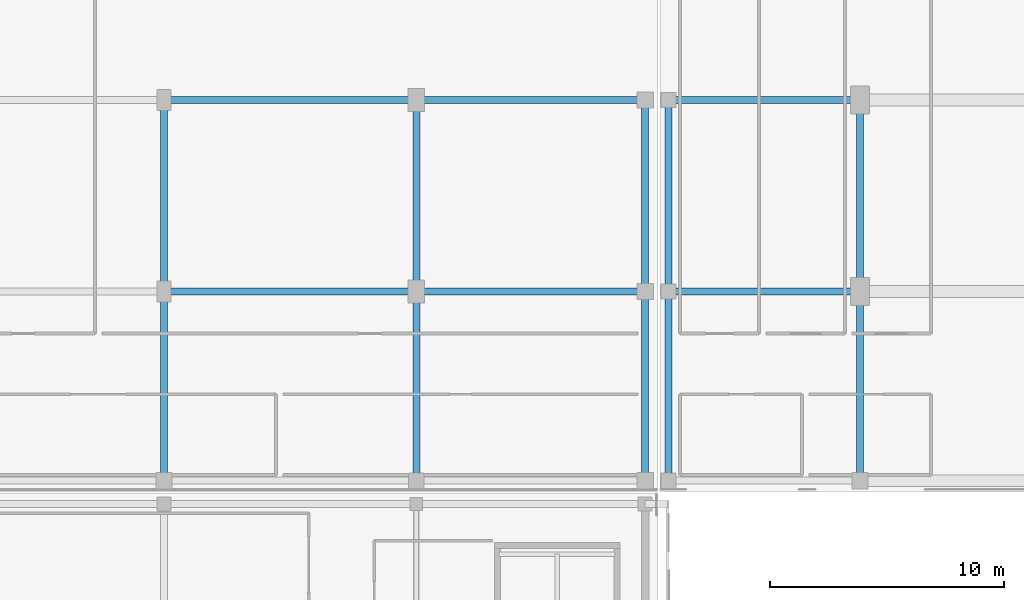
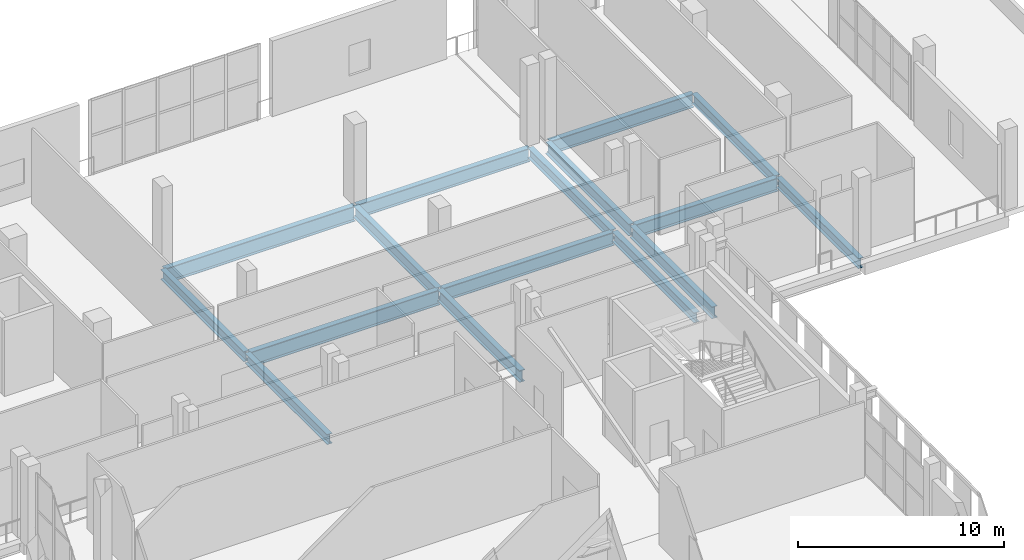
# One storey, part 70 of 142: 16 beams.
"""IFC4 building model written with IfcOpenShell, lengths in metres."""

from ifc_helpers import new_model, si_unit, direction, frame, origin, origin_2d, place, context, subcontext, project, spatial, i_section, extrude, material, material_profile, profile_set, type_object, element, save


model = new_model("IFC4")

# Units and contexts
model_context = context("Model", 3, precision=1e-05, world=origin(), true_north=direction((0.0, 1.0)))
body_context = subcontext(model_context, "Body", "Model", "MODEL_VIEW")
ifc_project = project(units=[si_unit("LENGTHUNIT", "METRE"), si_unit("AREAUNIT", "SQUARE_METRE"), si_unit("VOLUMEUNIT", "CUBIC_METRE"), si_unit("PLANEANGLEUNIT", "RADIAN"), si_unit("MASSUNIT", "GRAM", prefix="KILO")], contexts=[model_context])

# Site, building, storey
site_placement = place(None, origin())
site = spatial("IfcSite", under=ifc_project, at=site_placement, CompositionType="ELEMENT")
building_placement = place(site_placement, origin())
building = spatial("IfcBuilding", under=site, at=building_placement, Name="Koshinbarg Plaza Stadium", CompositionType="ELEMENT")
storey_placement = place(building_placement, frame((0.0, 0.0, 10.199951171875)))
storey = spatial("IfcBuildingStorey", under=building, at=storey_placement, Name="L02", CompositionType="ELEMENT", Elevation=10.199951171875)

# Beams
ifc_material = material(Name="Steel S355", Category="steel")
ifc_material_profile_1 = material_profile(ifc_material, i_section(OverallWidth=0.300048828125, OverallDepth=0.60009765625, WebThickness=0.015380859375, FlangeThickness=0.030029296875, at=origin_2d()), Name="HEB 600")
ifc_profile_set_1 = profile_set([ifc_material_profile_1], Name="Steel S355")
beam_type_1 = type_object("IfcBeamType", Name="BM-SGIR-02", PredefinedType="USERDEFINED", material=ifc_profile_set_1)
beam_1_placement = place(storey_placement, frame((197.800048828125, 127.56005859375, -0.599853515625), z_axis=(0.0, 1.0, 0.0), x_axis=(-1.0, 0.0, 0.0)))
element("IfcBeam", 1, at=beam_1_placement, inside=storey, type_object=beam_type_1, Name="L02 Y girder 19/S-T", ObjectType="GIRDER", PredefinedType="USERDEFINED", context=body_context, shape_type="SweptSolid", body=[
    extrude(i_section(OverallWidth=0.300048828125, OverallDepth=0.60009765625, WebThickness=0.015380859375, FlangeThickness=0.030029296875, at=origin_2d()), origin(), (0.0, 0.0, 1.0), 7.97998046875),
])
beam_2_placement = place(storey_placement, frame((197.800048828125, 135.659912109375, -0.599853515625), z_axis=(0.0, 1.0, 0.0), x_axis=(-1.0, 0.0, 0.0)))
element("IfcBeam", 2, at=beam_2_placement, inside=storey, type_object=beam_type_1, Name="L02 Y girder 19/T-U", ObjectType="GIRDER", PredefinedType="USERDEFINED", context=body_context, shape_type="SweptSolid", body=[
    extrude(i_section(OverallWidth=0.300048828125, OverallDepth=0.60009765625, WebThickness=0.015380859375, FlangeThickness=0.030029296875, at=origin_2d()), origin(), (0.0, 0.0, 1.0), 8.080078125),
])
beam_3_placement = place(storey_placement, frame((218.39990234375, 127.56005859375, -0.599853515625), z_axis=(0.0, 1.0, 0.0), x_axis=(-1.0, 0.0, 0.0)))
element("IfcBeam", 3, at=beam_3_placement, inside=storey, type_object=beam_type_1, Name="L02 Y girder 21/S-T", ObjectType="GIRDER", PredefinedType="USERDEFINED", context=body_context, shape_type="SweptSolid", body=[
    extrude(i_section(OverallWidth=0.300048828125, OverallDepth=0.60009765625, WebThickness=0.015380859375, FlangeThickness=0.030029296875, at=origin_2d()), origin(), (0.0, 0.0, 1.0), 7.97998046875),
])
beam_4_placement = place(storey_placement, frame((218.39990234375, 135.659912109375, -0.599853515625), z_axis=(0.0, 1.0, 0.0), x_axis=(-1.0, 0.0, 0.0)))
element("IfcBeam", 4, at=beam_4_placement, inside=storey, type_object=beam_type_1, Name="L02 Y girder 21/T-U", ObjectType="GIRDER", PredefinedType="USERDEFINED", context=body_context, shape_type="SweptSolid", body=[
    extrude(i_section(OverallWidth=0.300048828125, OverallDepth=0.60009765625, WebThickness=0.015380859375, FlangeThickness=0.030029296875, at=origin_2d()), origin(), (0.0, 0.0, 1.0), 8.080078125),
])
beam_5_placement = place(storey_placement, frame((227.60009765625, 127.56005859375, -0.599853515625), z_axis=(0.0, 1.0, 0.0), x_axis=(-1.0, 0.0, 0.0)))
element("IfcBeam", 5, at=beam_5_placement, inside=storey, type_object=beam_type_1, Name="L02 Y girder 23/S-T", ObjectType="GIRDER", PredefinedType="USERDEFINED", context=body_context, shape_type="SweptSolid", body=[
    extrude(i_section(OverallWidth=0.300048828125, OverallDepth=0.60009765625, WebThickness=0.015380859375, FlangeThickness=0.030029296875, at=origin_2d()), origin(), (0.0, 0.0, 1.0), 7.97998046875),
])
beam_6_placement = place(storey_placement, frame((227.60009765625, 135.659912109375, -0.599853515625), z_axis=(0.0, 1.0, 0.0), x_axis=(-1.0, 0.0, 0.0)))
element("IfcBeam", 6, at=beam_6_placement, inside=storey, type_object=beam_type_1, Name="L02 Y girder 23/T-U", ObjectType="GIRDER", PredefinedType="USERDEFINED", context=body_context, shape_type="SweptSolid", body=[
    extrude(i_section(OverallWidth=0.300048828125, OverallDepth=0.60009765625, WebThickness=0.015380859375, FlangeThickness=0.030029296875, at=origin_2d()), origin(), (0.0, 0.0, 1.0), 8.080078125),
])
ifc_material_profile_2 = material_profile(ifc_material, i_section(OverallWidth=0.300048828125, OverallDepth=0.699951171875, WebThickness=0.01708984375, FlangeThickness=0.031982421875, at=origin_2d()), Name="HEB 700")
ifc_profile_set_2 = profile_set([ifc_material_profile_2], Name="Steel S355")
beam_type_2 = type_object("IfcBeamType", Name="BM-SGIR-03", PredefinedType="USERDEFINED", material=ifc_profile_set_2)
beam_7_placement = place(storey_placement, frame((208.60009765625, 127.56005859375, -0.64990234375), z_axis=(0.0, 1.0, 0.0), x_axis=(-1.0, 0.0, 0.0)))
element("IfcBeam", 7, at=beam_7_placement, inside=storey, type_object=beam_type_2, Name="L02 Y girder 20/S-T", ObjectType="GIRDER", PredefinedType="USERDEFINED", context=body_context, shape_type="SweptSolid", body=[
    extrude(i_section(OverallWidth=0.300048828125, OverallDepth=0.699951171875, WebThickness=0.01708984375, FlangeThickness=0.031982421875, at=origin_2d()), origin(), (0.0, 0.0, 1.0), 7.97998046875),
])
beam_8_placement = place(storey_placement, frame((208.60009765625, 135.659912109375, -0.64990234375), z_axis=(0.0, 1.0, 0.0), x_axis=(-1.0, 0.0, 0.0)))
element("IfcBeam", 8, at=beam_8_placement, inside=storey, type_object=beam_type_2, Name="L02 Y girder 20/T-U", ObjectType="GIRDER", PredefinedType="USERDEFINED", context=body_context, shape_type="SweptSolid", body=[
    extrude(i_section(OverallWidth=0.300048828125, OverallDepth=0.699951171875, WebThickness=0.01708984375, FlangeThickness=0.031982421875, at=origin_2d()), origin(), (0.0, 0.0, 1.0), 8.080078125),
])
beam_9_placement = place(storey_placement, frame((219.39990234375, 127.56005859375, -0.64990234375), z_axis=(0.0, 1.0, 0.0), x_axis=(-1.0, 0.0, 0.0)))
element("IfcBeam", 9, at=beam_9_placement, inside=storey, type_object=beam_type_2, Name="L02 Y girder 22/S-T", ObjectType="GIRDER", PredefinedType="USERDEFINED", context=body_context, shape_type="SweptSolid", body=[
    extrude(i_section(OverallWidth=0.300048828125, OverallDepth=0.699951171875, WebThickness=0.01708984375, FlangeThickness=0.031982421875, at=origin_2d()), origin(), (0.0, 0.0, 1.0), 7.97998046875),
])
beam_10_placement = place(storey_placement, frame((219.39990234375, 135.659912109375, -0.64990234375), z_axis=(0.0, 1.0, 0.0), x_axis=(-1.0, 0.0, 0.0)))
element("IfcBeam", 10, at=beam_10_placement, inside=storey, type_object=beam_type_2, Name="L02 Y girder 22/T-U", ObjectType="GIRDER", PredefinedType="USERDEFINED", context=body_context, shape_type="SweptSolid", body=[
    extrude(i_section(OverallWidth=0.300048828125, OverallDepth=0.699951171875, WebThickness=0.01708984375, FlangeThickness=0.031982421875, at=origin_2d()), origin(), (0.0, 0.0, 1.0), 8.080078125),
])
ifc_material_profile_3 = material_profile(ifc_material, i_section(OverallWidth=0.300048828125, OverallDepth=0.800048828125, WebThickness=0.017578125, FlangeThickness=0.032958984375, at=origin_2d()), Name="HEB 800")
ifc_profile_set_3 = profile_set([ifc_material_profile_3], Name="Steel S355")
beam_type_3 = type_object("IfcBeamType", Name="BM-SGIR-04", PredefinedType="USERDEFINED", material=ifc_profile_set_3)
beam_11_placement = place(storey_placement, frame((208.659912109375, 135.60009765625, -0.699951171875), z_axis=(1.0, 0.0, 0.0), x_axis=(0.0, 1.0, 0.0)))
element("IfcBeam", 11, at=beam_11_placement, inside=storey, type_object=beam_type_3, Name="L02 X girder T/20-21", ObjectType="GIRDER", PredefinedType="USERDEFINED", context=body_context, shape_type="SweptSolid", body=[
    extrude(i_section(OverallWidth=0.300048828125, OverallDepth=0.800048828125, WebThickness=0.017578125, FlangeThickness=0.032958984375, at=origin_2d()), origin(), (0.0, 0.0, 1.0), 9.68017578125),
])
beam_12_placement = place(storey_placement, frame((219.4599609375, 135.60009765625, -0.699951171875), z_axis=(1.0, 0.0, 0.0), x_axis=(0.0, 1.0, 0.0)))
element("IfcBeam", 12, at=beam_12_placement, inside=storey, type_object=beam_type_3, Name="L02 X girder T/22-23", ObjectType="GIRDER", PredefinedType="USERDEFINED", context=body_context, shape_type="SweptSolid", body=[
    extrude(i_section(OverallWidth=0.300048828125, OverallDepth=0.800048828125, WebThickness=0.017578125, FlangeThickness=0.032958984375, at=origin_2d()), origin(), (0.0, 0.0, 1.0), 8.080078125),
])
beam_13_placement = place(storey_placement, frame((208.659912109375, 143.800048828125, -0.699951171875), z_axis=(1.0, 0.0, 0.0), x_axis=(0.0, 1.0, 0.0)))
element("IfcBeam", 13, at=beam_13_placement, inside=storey, type_object=beam_type_3, Name="L02 X girder U/20-21", ObjectType="GIRDER", PredefinedType="USERDEFINED", context=body_context, shape_type="SweptSolid", body=[
    extrude(i_section(OverallWidth=0.300048828125, OverallDepth=0.800048828125, WebThickness=0.017578125, FlangeThickness=0.032958984375, at=origin_2d()), origin(), (0.0, 0.0, 1.0), 9.68017578125),
])
beam_14_placement = place(storey_placement, frame((219.4599609375, 143.800048828125, -0.699951171875), z_axis=(1.0, 0.0, 0.0), x_axis=(0.0, 1.0, 0.0)))
element("IfcBeam", 14, at=beam_14_placement, inside=storey, type_object=beam_type_3, Name="L02 X girder U/22-23", ObjectType="GIRDER", PredefinedType="USERDEFINED", context=body_context, shape_type="SweptSolid", body=[
    extrude(i_section(OverallWidth=0.300048828125, OverallDepth=0.800048828125, WebThickness=0.017578125, FlangeThickness=0.032958984375, at=origin_2d()), origin(), (0.0, 0.0, 1.0), 8.080078125),
])
ifc_material_profile_4 = material_profile(ifc_material, i_section(OverallWidth=0.300048828125, OverallDepth=0.89990234375, WebThickness=0.0185546875, FlangeThickness=0.034912109375, at=origin_2d()), Name="HEB 900")
ifc_profile_set_4 = profile_set([ifc_material_profile_4], Name="Steel S355")
beam_type_4 = type_object("IfcBeamType", Name="BM-SGIR-05", PredefinedType="USERDEFINED", material=ifc_profile_set_4)
for number, where, z_axis, x_axis, name in (
    (15, (197.860107421875, 135.60009765625, -0.75), (1.0, 0.0, 0.0), (0.0, 1.0, 0.0), "L02 X girder T/19-20"),
    (16, (197.860107421875, 143.800048828125, -0.75), (1.0, 0.0, 0.0), (0.0, 1.0, 0.0), "L02 X girder U/19-20"),
):
    element("IfcBeam", number, at=place(storey_placement, frame(where, z_axis=z_axis, x_axis=x_axis)), inside=storey, type_object=beam_type_4, Name=name, ObjectType="GIRDER", PredefinedType="USERDEFINED", context=body_context, shape_type="SweptSolid", body=[
        extrude(i_section(OverallWidth=0.300048828125, OverallDepth=0.89990234375, WebThickness=0.0185546875, FlangeThickness=0.034912109375, at=origin_2d()), origin(), (0.0, 0.0, 1.0), 10.679931640625),
    ])

save(model, "model.ifc")
